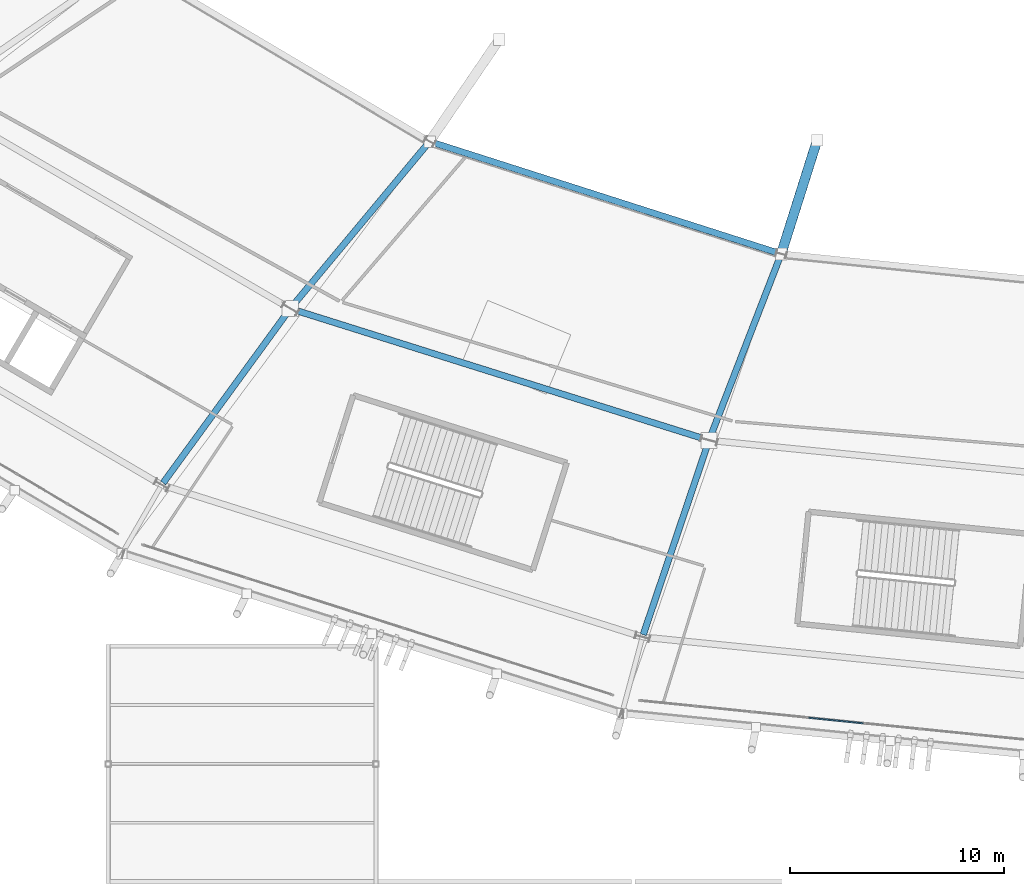
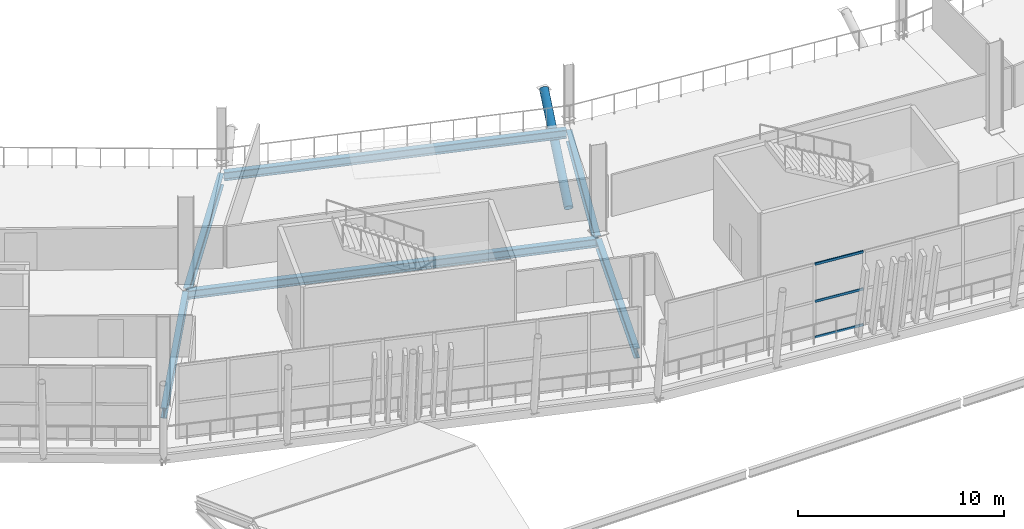
# One storey, part 31 of 168: 6 beams, 4 members, 1 element without a shape of its own.
"""IFC4 building model written with IfcOpenShell, lengths in metres."""

from ifc_helpers import new_model, si_unit, direction, frame, origin, origin_2d, place, context, subcontext, project, spatial, rectangle, hollow_circle, i_section, extrude, material, material_profile, profile_set, type_object, element, aggregate, save


model = new_model("IFC4")

# Units and contexts
model_context = context("Model", 3, precision=1e-05, world=origin(), true_north=direction((0.0, 1.0)))
body_context = subcontext(model_context, "Body", "Model", "MODEL_VIEW")
ifc_project = project(units=[si_unit("LENGTHUNIT", "METRE"), si_unit("AREAUNIT", "SQUARE_METRE"), si_unit("VOLUMEUNIT", "CUBIC_METRE"), si_unit("PLANEANGLEUNIT", "RADIAN"), si_unit("MASSUNIT", "GRAM", prefix="KILO")], contexts=[model_context])

# Site, building, storey
site_placement = place(None, origin())
site = spatial("IfcSite", under=ifc_project, at=site_placement, CompositionType="ELEMENT")
building_placement = place(site_placement, origin())
building = spatial("IfcBuilding", under=site, at=building_placement, Name="Zlatoyarsky Gate Stadium", CompositionType="ELEMENT")
storey_placement = place(building_placement, frame((0.0, 0.0, 15.60009765625)))
storey = spatial("IfcBuildingStorey", under=building, at=storey_placement, Name="L03", CompositionType="ELEMENT", Elevation=15.60009765625)

# Curtain wall, members
ifc_material_1 = material(Name="Thermally broken anodised aluminium curtain wall", Category="aluminium")
curtain_wall_type = type_object("IfcCurtainWallType", Name="UNITISED CORPORATE BOX GLAZING L03", PredefinedType="USERDEFINED", material=ifc_material_1)
curtain_wall_placement = place(storey_placement, origin())
curtain_wall = element("IfcCurtainWall", 1, at=curtain_wall_placement, inside=storey, type_object=curtain_wall_type, Name="Curtain wall CW-L03-17", ObjectType="UNITISED GLAZING", PredefinedType="USERDEFINED")
ifc_material_2 = material(Name="Anodised aluminium 6063-T6", Category="aluminium")
ifc_material_profile_1 = material_profile(ifc_material_2, rectangle(XDim=0.06494140625, YDim=0.139892578125, at=origin_2d()), Name="ALU 65X140")
ifc_profile_set_1 = profile_set([ifc_material_profile_1], Name="Anodised aluminium 6063-T6")
member_type_1 = type_object("IfcMemberType", Name="ALUMINIUM TRANSOM 65X140", PredefinedType="USERDEFINED", material=ifc_profile_set_1)
member_1_placement = place(storey_placement, frame((94.68310546875, 7.65380859375, 0.032470703125), z_axis=(0.994890082067, -0.100963976765, 0.0), x_axis=(0.100963976765, 0.994890082067, 0.0)))
member_1 = element("IfcMember", 2, at=member_1_placement, type_object=member_type_1, Name="CW-UG3 transom 4.1", ObjectType="TRANSOM", PredefinedType="USERDEFINED", context=body_context, shape_type="SweptSolid", body=[
    extrude(rectangle(XDim=0.06494140625, YDim=0.139892578125, at=origin_2d()), origin(), (0.0, 0.0, 1.0), 2.565673828125),
])
member_2_placement = place(storey_placement, frame((94.68310546875, 7.65380859375, 2.14990234375), z_axis=(0.994890082067, -0.100963976765, 0.0), x_axis=(0.100963976765, 0.994890082067, 0.0)))
member_2 = element("IfcMember", 3, at=member_2_placement, type_object=member_type_1, Name="CW-UG3 transom 4.2", ObjectType="TRANSOM", PredefinedType="USERDEFINED", context=body_context, shape_type="SweptSolid", body=[
    extrude(rectangle(XDim=0.06494140625, YDim=0.139892578125, at=origin_2d()), origin(), (0.0, 0.0, 1.0), 2.565673828125),
])
member_3_placement = place(storey_placement, frame((94.68310546875, 7.65380859375, 4.347412109375), z_axis=(0.994890082067, -0.100963976765, 0.0), x_axis=(0.100963976765, 0.994890082067, 0.0)))
member_3 = element("IfcMember", 4, at=member_3_placement, type_object=member_type_1, Name="CW-UG3 transom 4.3", ObjectType="TRANSOM", PredefinedType="USERDEFINED", context=body_context, shape_type="SweptSolid", body=[
    extrude(rectangle(XDim=0.06494140625, YDim=0.139892578125, at=origin_2d()), origin(), (0.0, 0.0, 1.0), 2.565673828125),
])
aggregate(curtain_wall, [member_1, member_2, member_3])

# Member
ifc_material_3 = material(Name="Steel S355", Category="steel")
ifc_material_profile_2 = material_profile(ifc_material_3, hollow_circle(Radius=0.228515625, WallThickness=0.02490234375, at=origin_2d()), Name="CHS 457X25")
ifc_profile_set_2 = profile_set([ifc_material_profile_2], Name="Steel S355")
member_type_2 = type_object("IfcMemberType", Name="STEEL BACKSPAN TIE STRUT CHS 457X25", PredefinedType="STRUT", material=ifc_profile_set_2)
member_4_placement = place(storey_placement, frame((93.400390625, 29.288818359375, -5.0), z_axis=(0.260748778035, 0.823534711005, 0.503786318317), x_axis=(-0.953354623254, 0.301852550628, 0.0)))
element("IfcMember", 5, at=member_4_placement, inside=storey, type_object=member_type_2, Name="Upper tier cantilever strut 17", PredefinedType="STRUT", context=body_context, shape_type="SweptSolid", body=[
    extrude(hollow_circle(Radius=0.228515625, WallThickness=0.02490234375, at=origin_2d()), origin(), (0.0, 0.0, 1.0), 6.451171875),
])

# Beams
ifc_material_profile_3 = material_profile(ifc_material_3, i_section(OverallWidth=0.300048828125, OverallDepth=0.5, WebThickness=0.014404296875, FlangeThickness=0.028076171875, FilletRadius=0.027099609375, at=origin_2d()), Name="HEB 500")
ifc_profile_set_3 = profile_set([ifc_material_profile_3], Name="Steel S355")
beam_type_1 = type_object("IfcBeamType", Name="STEEL PRIMARY GIRDER HEB 500", PredefinedType="BEAM", material=ifc_profile_set_3)
beam_1_placement = place(storey_placement, frame((77.1142578125, 34.4970703125, -0.530029296875), z_axis=(0.952480396568, -0.304599891914, 0.0), x_axis=(0.304599891914, 0.952480396568, 0.0)))
element("IfcBeam", 6, at=beam_1_placement, inside=storey, type_object=beam_type_1, Name="Beam G-HEB500 BM-L03-CRA-16", PredefinedType="BEAM", context=body_context, shape_type="SweptSolid", body=[
    extrude(i_section(OverallWidth=0.300048828125, OverallDepth=0.5, WebThickness=0.014404296875, FlangeThickness=0.028076171875, FilletRadius=0.027099609375, at=origin_2d()), origin(), (0.0, 0.0, 1.0), 16.978515625),
])
beam_2_placement = place(storey_placement, frame((70.614501953125, 26.703369140625, -0.530029296875), z_axis=(0.953937507984, -0.300005384719, 0.0), x_axis=(0.300005384719, 0.953937507984, 0.0)))
element("IfcBeam", 7, at=beam_2_placement, inside=storey, type_object=beam_type_1, Name="Beam G-HEB500 BM-L03-CRB-16", PredefinedType="BEAM", context=body_context, shape_type="SweptSolid", body=[
    extrude(i_section(OverallWidth=0.300048828125, OverallDepth=0.5, WebThickness=0.014404296875, FlangeThickness=0.028076171875, FilletRadius=0.027099609375, at=origin_2d()), origin(), (0.0, 0.0, 1.0), 20.239013671875),
])
ifc_material_profile_4 = material_profile(ifc_material_3, i_section(OverallWidth=0.300048828125, OverallDepth=0.60009765625, WebThickness=0.015380859375, FlangeThickness=0.030029296875, FilletRadius=0.027099609375, at=origin_2d()), Name="HEB 600")
ifc_profile_set_4 = profile_set([ifc_material_profile_4], Name="Steel S355")
beam_type_2 = type_object("IfcBeamType", Name="STEEL PRIMARY GIRDER HEB 600", PredefinedType="BEAM", material=ifc_profile_set_4)
beam_3_placement = place(storey_placement, frame((70.42919921875, 26.642333984375, -0.580078125), z_axis=(-0.589228266457, -0.807966614415, 0.0), x_axis=(0.807966614415, -0.589228266457, 0.0)))
element("IfcBeam", 8, at=beam_3_placement, inside=storey, type_object=beam_type_2, Name="Beam G-HEB600 BM-L03-RBC-16", PredefinedType="BEAM", context=body_context, shape_type="SweptSolid", body=[
    extrude(i_section(OverallWidth=0.300048828125, OverallDepth=0.60009765625, WebThickness=0.015380859375, FlangeThickness=0.030029296875, FilletRadius=0.027099609375, at=origin_2d()), origin(), (0.0, 0.0, 1.0), 9.9423828125),
])
beam_4_placement = place(storey_placement, frame((89.997314453125, 20.48193359375, -0.580078125), z_axis=(-0.320612225581, -0.947210536686, 0.0), x_axis=(0.947210536686, -0.320612225581, 0.0)))
element("IfcBeam", 9, at=beam_4_placement, inside=storey, type_object=beam_type_2, Name="Beam G-HEB600 BM-L03-RBC-17", PredefinedType="BEAM", context=body_context, shape_type="SweptSolid", body=[
    extrude(i_section(OverallWidth=0.300048828125, OverallDepth=0.60009765625, WebThickness=0.015380859375, FlangeThickness=0.030029296875, FilletRadius=0.027099609375, at=origin_2d()), origin(), (0.0, 0.0, 1.0), 9.44775390625),
])
ifc_material_profile_5 = material_profile(ifc_material_3, i_section(OverallWidth=0.300048828125, OverallDepth=0.699951171875, WebThickness=0.01708984375, FlangeThickness=0.031982421875, FilletRadius=0.027099609375, at=origin_2d()), Name="HEB 700")
ifc_profile_set_5 = profile_set([ifc_material_profile_5], Name="Steel S355")
beam_type_3 = type_object("IfcBeamType", Name="STEEL PRIMARY GIRDER HEB 700", PredefinedType="BEAM", material=ifc_profile_set_5)
beam_5_placement = place(storey_placement, frame((76.923095703125, 34.44140625, -0.630126953125), z_axis=(-0.640460635814, -0.767990998627, 0.0), x_axis=(0.767990998627, -0.640460635814, 0.0)))
element("IfcBeam", 10, at=beam_5_placement, inside=storey, type_object=beam_type_3, Name="Beam G-HEB700 BM-L03-RAB-16", PredefinedType="BEAM", context=body_context, shape_type="SweptSolid", body=[
    extrude(i_section(OverallWidth=0.300048828125, OverallDepth=0.699951171875, WebThickness=0.01708984375, FlangeThickness=0.031982421875, FilletRadius=0.027099609375, at=origin_2d()), origin(), (0.0, 0.0, 1.0), 9.90869140625),
])
beam_6_placement = place(storey_placement, frame((93.35693359375, 29.177001953125, -0.630126953125), z_axis=(-0.36092924223, -0.932593202904, 0.0), x_axis=(0.932593202904, -0.36092924223, 0.0)))
element("IfcBeam", 11, at=beam_6_placement, inside=storey, type_object=beam_type_3, Name="Beam G-HEB700 BM-L03-RAB-17", PredefinedType="BEAM", context=body_context, shape_type="SweptSolid", body=[
    extrude(i_section(OverallWidth=0.300048828125, OverallDepth=0.699951171875, WebThickness=0.01708984375, FlangeThickness=0.031982421875, FilletRadius=0.027099609375, at=origin_2d()), origin(), (0.0, 0.0, 1.0), 9.08154296875),
])

save(model, "model.ifc")
